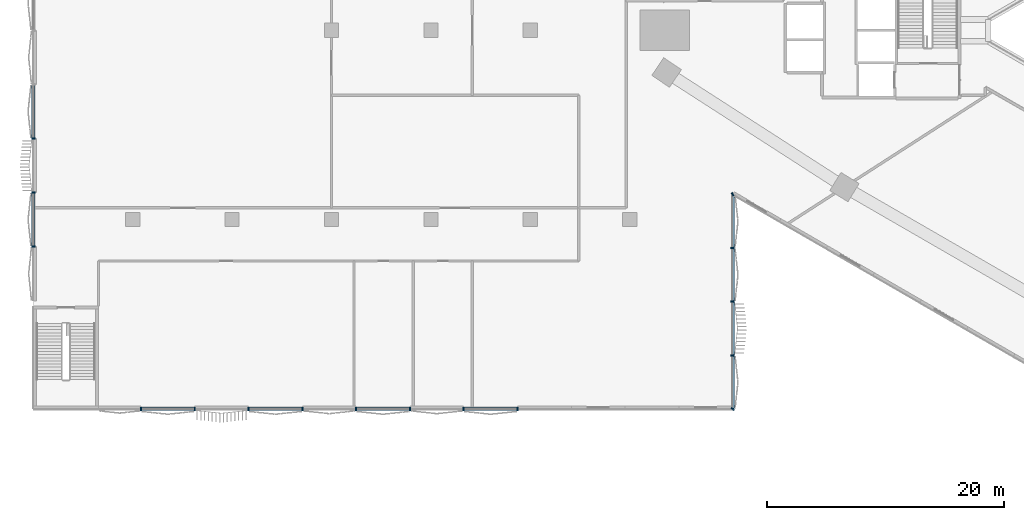
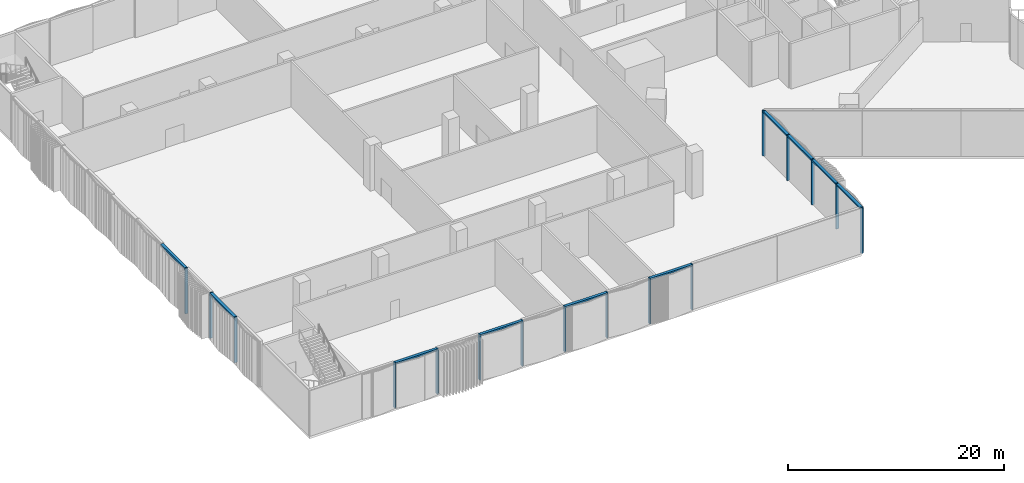
# One storey, part 2 of 31: 24 members, 3 elements without a shape of their own.
"""IFC4 building model written with IfcOpenShell, lengths in metres."""

from ifc_helpers import new_model, si_unit, direction, frame, origin, origin_2d, place, context, subcontext, project, spatial, rectangle, extrude, material, material_profile, profile_set, type_object, element, aggregate, save


model = new_model("IFC4")

# Units and contexts
model_context = context("Model", 3, precision=1e-05, world=origin(), true_north=direction((0.0, 1.0)))
body_context = subcontext(model_context, "Body", "Model", "MODEL_VIEW")
ifc_project = project(units=[si_unit("LENGTHUNIT", "METRE"), si_unit("AREAUNIT", "SQUARE_METRE"), si_unit("VOLUMEUNIT", "CUBIC_METRE"), si_unit("PLANEANGLEUNIT", "RADIAN"), si_unit("MASSUNIT", "GRAM", prefix="KILO")], contexts=[model_context])

# Site, building, storey
site_placement = place(None, origin())
site = spatial("IfcSite", under=ifc_project, at=site_placement, CompositionType="ELEMENT")
building_placement = place(site_placement, origin())
building = spatial("IfcBuilding", under=site, at=building_placement, Name="Tamra Quay Hotel Tower", CompositionType="ELEMENT")
storey_placement = place(building_placement, frame((0.0, 0.0, 14.0)))
storey = spatial("IfcBuildingStorey", under=building, at=storey_placement, Name="L02", CompositionType="ELEMENT", Elevation=14.0)

# Curtain wall, members
ifc_material = material(Name="Aluminium 6063 anodised dark grey", Category="aluminium")
curtain_wall_type = type_object("IfcCurtainWallType", Name="CW4 CURTAIN WALL", PredefinedType="NOTDEFINED", material=ifc_material)
curtain_wall_1_placement = place(storey_placement, origin())
curtain_wall_1 = element("IfcCurtainWall", 1, at=curtain_wall_1_placement, inside=storey, type_object=curtain_wall_type, Name="CW4 east face L02", PredefinedType="NOTDEFINED")
ifc_material_profile_1 = material_profile(ifc_material, rectangle(XDim=0.300048828125, YDim=0.1201171875, at=origin_2d()), Name="MULLION 120X300")
ifc_profile_set_1 = profile_set([ifc_material_profile_1], Name="Aluminium 6063 anodised dark grey")
member_type_1 = type_object("IfcMemberType", Name="MULLION CW4", PredefinedType="MULLION", material=ifc_profile_set_1)
member_1_placement = place(storey_placement, frame((-30.0, -32.0, 0.0), z_axis=(0.0, 0.0, 1.0), x_axis=(0.707106781187, -0.707106781187, 0.0)))
member_1 = element("IfcMember", 2, at=member_1_placement, type_object=member_type_1, Name="CW4 mullion L02.E.1", PredefinedType="MULLION", context=body_context, shape_type="SweptSolid", body=[
    extrude(rectangle(XDim=0.300048828125, YDim=0.1201171875, at=origin_2d()), origin(), (0.0, 0.0, 1.0), 5.14990234375),
])
member_2_placement = place(storey_placement, frame((-30.0, -27.464111328125, 0.0), z_axis=(0.0, 0.0, 1.0), x_axis=(1.0, 0.0, 0.0)))
member_2 = element("IfcMember", 3, at=member_2_placement, type_object=member_type_1, Name="CW4 mullion L02.E.2", PredefinedType="MULLION", context=body_context, shape_type="SweptSolid", body=[
    extrude(rectangle(XDim=0.300048828125, YDim=0.1201171875, at=origin_2d()), origin(), (0.0, 0.0, 1.0), 5.14990234375),
])
member_3_placement = place(storey_placement, frame((-30.0, -22.92822265625, 0.0), z_axis=(0.0, 0.0, 1.0), x_axis=(1.0, 0.0, 0.0)))
member_3 = element("IfcMember", 4, at=member_3_placement, type_object=member_type_1, Name="CW4 mullion L02.E.3", PredefinedType="MULLION", context=body_context, shape_type="SweptSolid", body=[
    extrude(rectangle(XDim=0.300048828125, YDim=0.1201171875, at=origin_2d()), origin(), (0.0, 0.0, 1.0), 5.14990234375),
])
member_4_placement = place(storey_placement, frame((-30.0, -18.392333984375, 0.0), z_axis=(0.0, 0.0, 1.0), x_axis=(1.0, 0.0, 0.0)))
member_4 = element("IfcMember", 5, at=member_4_placement, type_object=member_type_1, Name="CW4 mullion L02.E.4", PredefinedType="MULLION", context=body_context, shape_type="SweptSolid", body=[
    extrude(rectangle(XDim=0.300048828125, YDim=0.1201171875, at=origin_2d()), origin(), (0.0, 0.0, 1.0), 5.14990234375),
])
member_5_placement = place(storey_placement, frame((-30.0, -13.8564453125, 0.0), z_axis=(0.0, 0.0, 1.0), x_axis=(0.5, -0.866025403784, 0.0)))
member_5 = element("IfcMember", 6, at=member_5_placement, type_object=member_type_1, Name="CW4 mullion L02.E.5", PredefinedType="MULLION", context=body_context, shape_type="SweptSolid", body=[
    extrude(rectangle(XDim=0.300048828125, YDim=0.1201171875, at=origin_2d()), origin(), (0.0, 0.0, 1.0), 5.14990234375),
])

curtain_wall_2_placement = place(storey_placement, origin())
curtain_wall_2 = element("IfcCurtainWall", 7, at=curtain_wall_2_placement, inside=storey, type_object=curtain_wall_type, Name="CW4 south-west face L02", PredefinedType="NOTDEFINED")
member_6_placement = place(storey_placement, frame((-80.0078125, -32.0, 0.0), z_axis=(0.0, 0.0, 1.0), x_axis=(0.0, -1.0, 0.0)))
member_6 = element("IfcMember", 8, at=member_6_placement, type_object=member_type_1, Name="CW4 mullion L02.SW.1", PredefinedType="MULLION", context=body_context, shape_type="SweptSolid", body=[
    extrude(rectangle(XDim=0.300048828125, YDim=0.1201171875, at=origin_2d()), origin(), (0.0, 0.0, 1.0), 5.14990234375),
])
member_7_placement = place(storey_placement, frame((-75.46142578125, -32.0, 0.0), z_axis=(0.0, 0.0, 1.0), x_axis=(0.0, -1.0, 0.0)))
member_7 = element("IfcMember", 9, at=member_7_placement, type_object=member_type_1, Name="CW4 mullion L02.SW.2", PredefinedType="MULLION", context=body_context, shape_type="SweptSolid", body=[
    extrude(rectangle(XDim=0.300048828125, YDim=0.1201171875, at=origin_2d()), origin(), (0.0, 0.0, 1.0), 5.14990234375),
])
member_8_placement = place(storey_placement, frame((-70.915283203125, -32.0, 0.0), z_axis=(0.0, 0.0, 1.0), x_axis=(0.0, -1.0, 0.0)))
member_8 = element("IfcMember", 10, at=member_8_placement, type_object=member_type_1, Name="CW4 mullion L02.SW.2", PredefinedType="MULLION", context=body_context, shape_type="SweptSolid", body=[
    extrude(rectangle(XDim=0.300048828125, YDim=0.1201171875, at=origin_2d()), origin(), (0.0, 0.0, 1.0), 5.14990234375),
])
member_9_placement = place(storey_placement, frame((-66.369140625, -32.0, 0.0), z_axis=(0.0, 0.0, 1.0), x_axis=(0.0, -1.0, 0.0)))
member_9 = element("IfcMember", 11, at=member_9_placement, type_object=member_type_1, Name="CW4 mullion L02.SW.3", PredefinedType="MULLION", context=body_context, shape_type="SweptSolid", body=[
    extrude(rectangle(XDim=0.300048828125, YDim=0.1201171875, at=origin_2d()), origin(), (0.0, 0.0, 1.0), 5.14990234375),
])
member_10_placement = place(storey_placement, frame((-61.822998046875, -32.0, 0.0), z_axis=(0.0, 0.0, 1.0), x_axis=(0.0, -1.0, 0.0)))
member_10 = element("IfcMember", 12, at=member_10_placement, type_object=member_type_1, Name="CW4 mullion L02.SW.3", PredefinedType="MULLION", context=body_context, shape_type="SweptSolid", body=[
    extrude(rectangle(XDim=0.300048828125, YDim=0.1201171875, at=origin_2d()), origin(), (0.0, 0.0, 1.0), 5.14990234375),
])
member_11_placement = place(storey_placement, frame((-57.27685546875, -32.0, 0.0), z_axis=(0.0, 0.0, 1.0), x_axis=(0.0, -1.0, 0.0)))
member_11 = element("IfcMember", 13, at=member_11_placement, type_object=member_type_1, Name="CW4 mullion L02.SW.4", PredefinedType="MULLION", context=body_context, shape_type="SweptSolid", body=[
    extrude(rectangle(XDim=0.300048828125, YDim=0.1201171875, at=origin_2d()), origin(), (0.0, 0.0, 1.0), 5.14990234375),
])
member_12_placement = place(storey_placement, frame((-52.730712890625, -32.0, 0.0), z_axis=(0.0, 0.0, 1.0), x_axis=(0.0, -1.0, 0.0)))
member_12 = element("IfcMember", 14, at=member_12_placement, type_object=member_type_1, Name="CW4 mullion L02.SW.4", PredefinedType="MULLION", context=body_context, shape_type="SweptSolid", body=[
    extrude(rectangle(XDim=0.300048828125, YDim=0.1201171875, at=origin_2d()), origin(), (0.0, 0.0, 1.0), 5.14990234375),
])
member_13_placement = place(storey_placement, frame((-48.1845703125, -32.0, 0.0), z_axis=(0.0, 0.0, 1.0), x_axis=(0.0, -1.0, 0.0)))
member_13 = element("IfcMember", 15, at=member_13_placement, type_object=member_type_1, Name="CW4 mullion L02.SW.5", PredefinedType="MULLION", context=body_context, shape_type="SweptSolid", body=[
    extrude(rectangle(XDim=0.300048828125, YDim=0.1201171875, at=origin_2d()), origin(), (0.0, 0.0, 1.0), 5.14990234375),
])

curtain_wall_3_placement = place(storey_placement, origin())
curtain_wall_3 = element("IfcCurtainWall", 16, at=curtain_wall_3_placement, inside=storey, type_object=curtain_wall_type, Name="CW4 west face L02", PredefinedType="NOTDEFINED")
member_14_placement = place(storey_placement, frame((-89.10009765625, -9.142822265625, 0.0), z_axis=(0.0, 0.0, 1.0), x_axis=(-1.0, 0.0, 0.0)))
member_14 = element("IfcMember", 17, at=member_14_placement, type_object=member_type_1, Name="CW4 mullion L02.W.5", PredefinedType="MULLION", context=body_context, shape_type="SweptSolid", body=[
    extrude(rectangle(XDim=0.300048828125, YDim=0.1201171875, at=origin_2d()), origin(), (0.0, 0.0, 1.0), 5.14990234375),
])
member_15_placement = place(storey_placement, frame((-89.10009765625, -13.71435546875, 0.0), z_axis=(0.0, 0.0, 1.0), x_axis=(-1.0, 0.0, 0.0)))
member_15 = element("IfcMember", 18, at=member_15_placement, type_object=member_type_1, Name="CW4 mullion L02.W.5", PredefinedType="MULLION", context=body_context, shape_type="SweptSolid", body=[
    extrude(rectangle(XDim=0.300048828125, YDim=0.1201171875, at=origin_2d()), origin(), (0.0, 0.0, 1.0), 5.14990234375),
])
member_16_placement = place(storey_placement, frame((-89.10009765625, -18.28564453125, 0.0), z_axis=(0.0, 0.0, 1.0), x_axis=(-1.0, 0.0, 0.0)))
member_16 = element("IfcMember", 19, at=member_16_placement, type_object=member_type_1, Name="CW4 mullion L02.W.6", PredefinedType="MULLION", context=body_context, shape_type="SweptSolid", body=[
    extrude(rectangle(XDim=0.300048828125, YDim=0.1201171875, at=origin_2d()), origin(), (0.0, 0.0, 1.0), 5.14990234375),
])

# Member
ifc_material_profile_2 = material_profile(ifc_material, rectangle(XDim=0.300048828125, YDim=0.179931640625, at=origin_2d()), Name="TRANSOM 300X180")
ifc_profile_set_2 = profile_set([ifc_material_profile_2], Name="Aluminium 6063 anodised dark grey")
member_type_2 = type_object("IfcMemberType", Name="TRANSOM CW4", PredefinedType="USERDEFINED", material=ifc_profile_set_2)
member_17_placement = place(storey_placement, frame((-30.0, -31.93994140625, 5.06005859375), z_axis=(0.0, 1.0, 0.0), x_axis=(-1.0, 0.0, 0.0)))
member_17 = element("IfcMember", 20, at=member_17_placement, type_object=member_type_2, Name="CW4 transom L02.E.1", ObjectType="TRANSOM", PredefinedType="USERDEFINED", context=body_context, shape_type="SweptSolid", body=[
    extrude(rectangle(XDim=0.300048828125, YDim=0.179931640625, at=origin_2d()), origin(), (0.0, 0.0, 1.0), 13.487548828125),
])

member_18_placement = place(storey_placement, frame((-30.0, -18.332275390625, 5.06005859375), z_axis=(0.0, 1.0, 0.0), x_axis=(-1.0, 0.0, 0.0)))
member_18 = element("IfcMember", 21, at=member_18_placement, type_object=member_type_2, Name="CW4 transom L02.E.4", ObjectType="TRANSOM", PredefinedType="USERDEFINED", context=body_context, shape_type="SweptSolid", body=[
    extrude(rectangle(XDim=0.300048828125, YDim=0.179931640625, at=origin_2d()), origin(), (0.0, 0.0, 1.0), 4.415771484375),
])

aggregate(curtain_wall_1, [member_1, member_17, member_2, member_3, member_4, member_18, member_5])

member_19_placement = place(storey_placement, frame((-79.94775390625, -32.0, 5.06005859375), z_axis=(1.0, 0.0, 0.0), x_axis=(0.0, 1.0, 0.0)))
member_19 = element("IfcMember", 22, at=member_19_placement, type_object=member_type_2, Name="CW4 transom L02.SW.1", ObjectType="TRANSOM", PredefinedType="USERDEFINED", context=body_context, shape_type="SweptSolid", body=[
    extrude(rectangle(XDim=0.300048828125, YDim=0.179931640625, at=origin_2d()), origin(), (0.0, 0.0, 1.0), 4.42626953125),
])

member_20_placement = place(storey_placement, frame((-70.85546875, -32.0, 5.06005859375), z_axis=(1.0, 0.0, 0.0), x_axis=(0.0, 1.0, 0.0)))
member_20 = element("IfcMember", 23, at=member_20_placement, type_object=member_type_2, Name="CW4 transom L02.SW.2", ObjectType="TRANSOM", PredefinedType="USERDEFINED", context=body_context, shape_type="SweptSolid", body=[
    extrude(rectangle(XDim=0.300048828125, YDim=0.179931640625, at=origin_2d()), origin(), (0.0, 0.0, 1.0), 4.42626953125),
])

member_21_placement = place(storey_placement, frame((-61.76318359375, -32.0, 5.06005859375), z_axis=(1.0, 0.0, 0.0), x_axis=(0.0, 1.0, 0.0)))
member_21 = element("IfcMember", 24, at=member_21_placement, type_object=member_type_2, Name="CW4 transom L02.SW.3", ObjectType="TRANSOM", PredefinedType="USERDEFINED", context=body_context, shape_type="SweptSolid", body=[
    extrude(rectangle(XDim=0.300048828125, YDim=0.179931640625, at=origin_2d()), origin(), (0.0, 0.0, 1.0), 4.42626953125),
])

member_22_placement = place(storey_placement, frame((-52.670654296875, -32.0, 5.06005859375), z_axis=(1.0, 0.0, 0.0), x_axis=(0.0, 1.0, 0.0)))
member_22 = element("IfcMember", 25, at=member_22_placement, type_object=member_type_2, Name="CW4 transom L02.SW.4", ObjectType="TRANSOM", PredefinedType="USERDEFINED", context=body_context, shape_type="SweptSolid", body=[
    extrude(rectangle(XDim=0.300048828125, YDim=0.179931640625, at=origin_2d()), origin(), (0.0, 0.0, 1.0), 4.426025390625),
])

aggregate(curtain_wall_2, [member_6, member_19, member_7, member_8, member_20, member_9, member_10, member_21, member_11, member_12, member_22, member_13])

member_23_placement = place(storey_placement, frame((-89.10009765625, -4.63134765625, 5.06005859375), z_axis=(0.0, -1.0, 0.0), x_axis=(1.0, 0.0, 0.0)))
member_23 = element("IfcMember", 26, at=member_23_placement, type_object=member_type_2, Name="CW4 transom L02.W.4", ObjectType="TRANSOM", PredefinedType="USERDEFINED", context=body_context, shape_type="SweptSolid", body=[
    extrude(rectangle(XDim=0.300048828125, YDim=0.179931640625, at=origin_2d()), origin(), (0.0, 0.0, 1.0), 4.451416015625),
])

member_24_placement = place(storey_placement, frame((-89.10009765625, -13.774169921875, 5.06005859375), z_axis=(0.0, -1.0, 0.0), x_axis=(1.0, 0.0, 0.0)))
member_24 = element("IfcMember", 27, at=member_24_placement, type_object=member_type_2, Name="CW4 transom L02.W.5", ObjectType="TRANSOM", PredefinedType="USERDEFINED", context=body_context, shape_type="SweptSolid", body=[
    extrude(rectangle(XDim=0.300048828125, YDim=0.179931640625, at=origin_2d()), origin(), (0.0, 0.0, 1.0), 4.45166015625),
])

aggregate(curtain_wall_3, [member_23, member_14, member_15, member_24, member_16])

save(model, "model.ifc")
